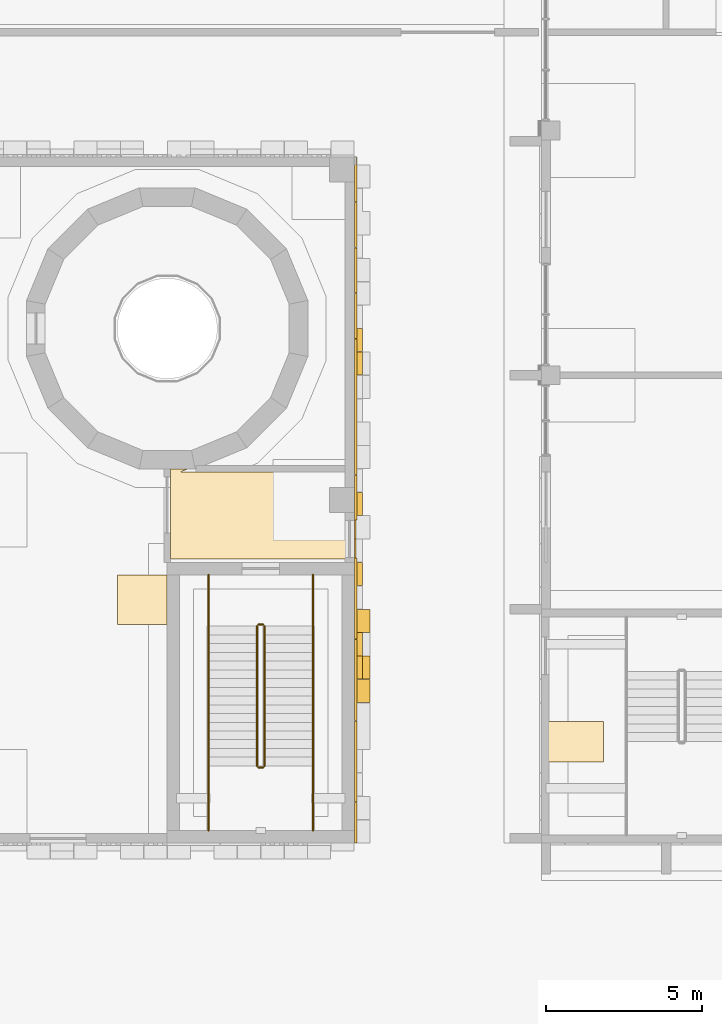
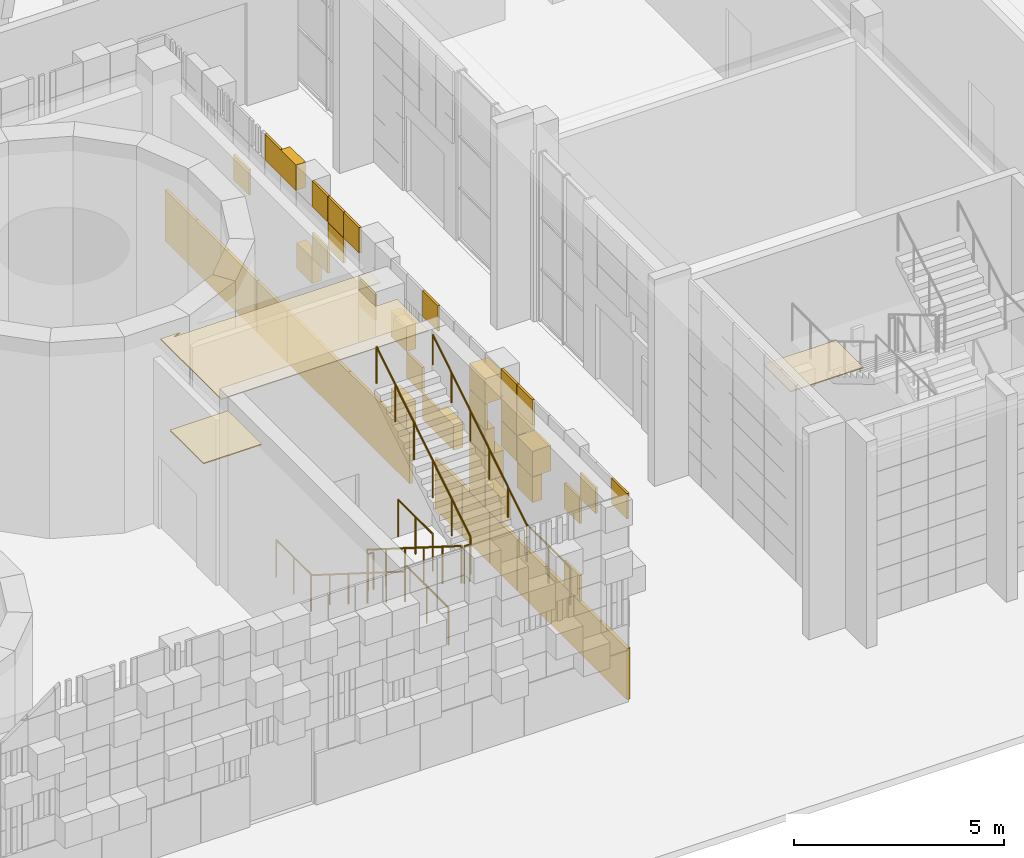
# One storey, part 98 of 125: 10 railings, 6 coverings.
"""IFC4 building model written with IfcOpenShell, lengths in metres."""

from ifc_helpers import new_model, si_unit, direction, frame, origin, origin_2d, place, context, subcontext, project, spatial, polyline, rectangle, circle, outline, extrude, material, layer, layer_set, type_object, element, save


model = new_model("IFC4")

# Units and contexts
model_context = context("Model", 3, precision=1e-05, world=origin(), true_north=direction((0.0, 1.0)))
body_context = subcontext(model_context, "Body", "Model", "MODEL_VIEW")
ifc_project = project(units=[si_unit("LENGTHUNIT", "METRE"), si_unit("AREAUNIT", "SQUARE_METRE"), si_unit("VOLUMEUNIT", "CUBIC_METRE"), si_unit("PLANEANGLEUNIT", "RADIAN"), si_unit("MASSUNIT", "GRAM", prefix="KILO")], contexts=[model_context])

# Site, building, storey
site_placement = place(None, origin())
site = spatial("IfcSite", under=ifc_project, at=site_placement, CompositionType="ELEMENT")
building_placement = place(site_placement, origin())
building = spatial("IfcBuilding", under=site, at=building_placement, Name="Sun Court Science Centre", CompositionType="ELEMENT")
storey_placement = place(building_placement, origin())
storey = spatial("IfcBuildingStorey", under=building, at=storey_placement, Name="L00", CompositionType="ELEMENT", Elevation=0.0)

# Coverings
ifc_material_1 = material(Name="Gypsum board")
ifc_layer_1 = layer(ifc_material_1, 0.030029296875)
ifc_layer_set_1 = layer_set([ifc_layer_1], Name="Gypsum board")
covering_type_1 = type_object("IfcCoveringType", Name="Ceiling suspended 600 module", PredefinedType="CEILING", material=ifc_layer_set_1)
covering_1_placement = place(storey_placement, frame((0.0, 0.0, 5.27001953125)))
element("IfcCovering", 1, at=covering_1_placement, inside=storey, type_object=covering_type_1, Name="L00-027 ceiling", PredefinedType="CEILING", context=body_context, shape_type="SweptSolid", body=[
    extrude(outline(polyline([(71.800048828125, 15.10009765625), (66.10009765625, 15.10009765625), (66.10009765625, 17.98828125), (66.635986328125, 17.98828125), (66.4345703125, 17.90478515625), (66.435546875, 17.89990234375), (71.800048828125, 17.89990234375), (71.800048828125, 17.39990234375), (71.199951171875, 17.39990234375), (71.199951171875, 16.60009765625), (71.800048828125, 16.60009765625), (71.800048828125, 15.10009765625)])), origin(), (0.0, 0.0, 1.0), 0.030029296875),
])
covering_2_placement = place(storey_placement, frame((0.0, 0.0, 5.27001953125)))
element("IfcCovering", 2, at=covering_2_placement, inside=storey, type_object=covering_type_1, Name="L00-030 ceiling", PredefinedType="CEILING", context=body_context, shape_type="SweptSolid", body=[
    extrude(outline(polyline([(66.0, 14.60009765625), (66.0, 13.0), (64.39990234375, 13.0), (64.39990234375, 14.60009765625), (66.0, 14.60009765625)])), origin(), (0.0, 0.0, 1.0), 0.030029296875),
])
covering_3_placement = place(storey_placement, frame((0.0, 0.0, 5.27001953125)))
element("IfcCovering", 3, at=covering_3_placement, inside=storey, type_object=covering_type_1, Name="L00-061 ceiling", PredefinedType="CEILING", context=body_context, shape_type="SweptSolid", body=[
    extrude(outline(polyline([(80.0, 9.89990234375), (80.0, 8.60009765625), (78.0, 8.60009765625), (78.0, 9.89990234375), (80.0, 9.89990234375)])), origin(), (0.0, 0.0, 1.0), 0.030029296875),
])

# Railings
ifc_material_2 = material(Name="Steel S275", Category="steel")
railing_type_1 = type_object("IfcRailingType", Name="Guard 1100 steel balustrade", PredefinedType="GUARDRAIL", material=ifc_material_2)
railing_1_placement = place(storey_placement, frame((68.875, 12.951904296875, 0.176513671875)))
element("IfcRailing", 4, at=railing_1_placement, inside=storey, type_object=railing_type_1, Name="L00 SB3 stair guard 1", PredefinedType="GUARDRAIL", context=body_context, shape_type="SweptSolid", body=[
    extrude(circle(Radius=0.02392578125, at=origin_2d()), frame((0.0, 0.0, 1.076171875), z_axis=(0.0, -0.845997938375, 0.533186166611), x_axis=(1.0, 0.0, 0.0)), (0.0, 0.0, 1.0), 5.29541015625),
    extrude(circle(Radius=0.02099609375, at=origin_2d()), origin(), (0.0, 0.0, 1.0), 1.052001953125),
    extrude(circle(Radius=0.02099609375, at=origin_2d()), frame((0.0, -0.89599609375, 0.564697265625)), (0.0, 0.0, 1.0), 1.052001953125),
    extrude(circle(Radius=0.02099609375, at=origin_2d()), frame((0.0, -1.7919921875, 1.12939453125)), (0.0, 0.0, 1.0), 1.052001953125),
    extrude(circle(Radius=0.02099609375, at=origin_2d()), frame((0.0, -2.68798828125, 1.694091796875)), (0.0, 0.0, 1.0), 1.052001953125),
    extrude(circle(Radius=0.02099609375, at=origin_2d()), frame((0.0, -3.583984375, 2.2587890625)), (0.0, 0.0, 1.0), 1.052001953125),
    extrude(circle(Radius=0.02099609375, at=origin_2d()), frame((0.0, -4.47998046875, 2.823486328125)), (0.0, 0.0, 1.0), 1.052001953125),
])
railing_2_placement = place(storey_placement, frame((68.925048828125, 8.422119140625, 3.0)))
element("IfcRailing", 5, at=railing_2_placement, inside=storey, type_object=railing_type_1, Name="L00 SB3 stair guard 2", PredefinedType="GUARDRAIL", context=body_context, shape_type="SweptSolid", body=[
    extrude(circle(Radius=0.02392578125, at=origin_2d()), frame((0.0, 0.0, 1.076171875), z_axis=(1.0, 0.0, 0.0), x_axis=(0.0, 1.0, 0.0)), (0.0, 0.0, 1.0), 0.14990234375),
    extrude(circle(Radius=0.02099609375, at=origin_2d()), origin(), (0.0, 0.0, 1.0), 1.052001953125),
    extrude(circle(Radius=0.02099609375, at=origin_2d()), frame((0.14990234375, 0.0, 0.0)), (0.0, 0.0, 1.0), 1.052001953125),
])
for number, where, name in (
    (6, (67.326904296875, 8.471923828125, 3.0), "L00 SB3 stair guard 3"),
    (7, (70.673095703125, 8.471923828125, 3.0), "L00 SB3 stair guard 4"),
):
    element("IfcRailing", number, at=place(storey_placement, frame(where)), inside=storey, type_object=railing_type_1, Name=name, PredefinedType="GUARDRAIL", context=body_context, shape_type="SweptSolid", body=[
        extrude(circle(Radius=0.02392578125, at=origin_2d()), frame((0.0, 0.0, 1.076171875), z_axis=(0.0, -1.0, 0.0), x_axis=(1.0, 0.0, 0.0)), (0.0, 0.0, 1.0), 2.072021484375),
        extrude(circle(Radius=0.02099609375, at=origin_2d()), origin(), (0.0, 0.0, 1.0), 1.052001953125),
        extrude(circle(Radius=0.02099609375, at=origin_2d()), frame((0.0, -1.0361328125, 0.0)), (0.0, 0.0, 1.0), 1.052001953125),
        extrude(circle(Radius=0.02099609375, at=origin_2d()), frame((0.0, -2.072021484375, 0.0)), (0.0, 0.0, 1.0), 1.052001953125),
    ])
railing_3_placement = place(storey_placement, frame((69.125, 8.471923828125, 3.176513671875)))
element("IfcRailing", 8, at=railing_3_placement, inside=storey, type_object=railing_type_1, Name="L00 SB3 stair guard 5", PredefinedType="GUARDRAIL", context=body_context, shape_type="SweptSolid", body=[
    extrude(circle(Radius=0.02392578125, at=origin_2d()), frame((0.0, 0.0, 1.076171875), z_axis=(0.0, 0.845997938375, 0.533186166611), x_axis=(-1.0, 0.0, 0.0)), (0.0, 0.0, 1.0), 5.29541015625),
    extrude(circle(Radius=0.02099609375, at=origin_2d()), origin(), (0.0, 0.0, 1.0), 1.052001953125),
    extrude(circle(Radius=0.02099609375, at=origin_2d()), frame((0.0, 0.89599609375, 0.564697265625)), (0.0, 0.0, 1.0), 1.052001953125),
    extrude(circle(Radius=0.02099609375, at=origin_2d()), frame((0.0, 1.7919921875, 1.12939453125)), (0.0, 0.0, 1.0), 1.052001953125),
    extrude(circle(Radius=0.02099609375, at=origin_2d()), frame((0.0, 2.68798828125, 1.694091796875)), (0.0, 0.0, 1.0), 1.052001953125),
    extrude(circle(Radius=0.02099609375, at=origin_2d()), frame((0.0, 3.583984375, 2.2587890625)), (0.0, 0.0, 1.0), 1.052001953125),
    extrude(circle(Radius=0.02099609375, at=origin_2d()), frame((0.0, 4.47998046875, 2.823486328125)), (0.0, 0.0, 1.0), 1.052001953125),
])
railing_4_placement = place(storey_placement, frame((68.925048828125, 13.001953125, 0.0)))
element("IfcRailing", 9, at=railing_4_placement, inside=storey, type_object=railing_type_1, Name="L00 SB3 stair guard 6", PredefinedType="GUARDRAIL", context=body_context, shape_type="SweptSolid", body=[
    extrude(circle(Radius=0.02392578125, at=origin_2d()), frame((0.0, 0.0, 1.076171875), z_axis=(1.0, 0.0, 0.0), x_axis=(0.0, 1.0, 0.0)), (0.0, 0.0, 1.0), 0.14990234375),
    extrude(circle(Radius=0.02099609375, at=origin_2d()), origin(), (0.0, 0.0, 1.0), 1.052001953125),
    extrude(circle(Radius=0.02099609375, at=origin_2d()), frame((0.14990234375, 0.0, 0.0)), (0.0, 0.0, 1.0), 1.052001953125),
])
for number, where, name in (
    (10, (67.326904296875, 14.60009765625, 0.0), "L00 SB3 stair guard 7"),
    (11, (70.673095703125, 14.60009765625, 0.0), "L00 SB3 stair guard 8"),
):
    element("IfcRailing", number, at=place(storey_placement, frame(where)), inside=storey, type_object=railing_type_1, Name=name, PredefinedType="GUARDRAIL", context=body_context, shape_type="SweptSolid", body=[
        extrude(circle(Radius=0.02392578125, at=origin_2d()), frame((0.0, 0.0, 1.076171875), z_axis=(0.0, -1.0, 0.0), x_axis=(1.0, 0.0, 0.0)), (0.0, 0.0, 1.0), 1.648193359375),
        extrude(circle(Radius=0.02099609375, at=origin_2d()), origin(), (0.0, 0.0, 1.0), 1.052001953125),
        extrude(circle(Radius=0.02099609375, at=origin_2d()), frame((0.0, -0.82421875, 0.0)), (0.0, 0.0, 1.0), 1.052001953125),
        extrude(circle(Radius=0.02099609375, at=origin_2d()), frame((0.0, -1.648193359375, 0.0)), (0.0, 0.0, 1.0), 1.052001953125),
    ])
ifc_material_3 = material(Name="Stainless steel", Category="steel")
railing_type_2 = type_object("IfcRailingType", Name="Handrail 900 stainless", PredefinedType="HANDRAIL", material=ifc_material_3)
railing_5_placement = place(storey_placement, frame((67.326904296875, 12.951904296875, 0.176513671875)))
element("IfcRailing", 12, at=railing_5_placement, inside=storey, type_object=railing_type_2, Name="L00 SB3 stair handrail 1", PredefinedType="HANDRAIL", context=body_context, shape_type="SweptSolid", body=[
    extrude(circle(Radius=0.02392578125, at=origin_2d()), frame((0.0, 0.0, 0.8759765625), z_axis=(0.0, -0.845997938375, 0.533186166611), x_axis=(1.0, 0.0, 0.0)), (0.0, 0.0, 1.0), 5.29541015625),
    extrude(circle(Radius=0.02099609375, at=origin_2d()), origin(), (0.0, 0.0, 1.0), 0.851806640625),
    extrude(circle(Radius=0.02099609375, at=origin_2d()), frame((0.0, -0.89599609375, 0.564697265625)), (0.0, 0.0, 1.0), 0.851806640625),
    extrude(circle(Radius=0.02099609375, at=origin_2d()), frame((0.0, -1.7919921875, 1.12939453125)), (0.0, 0.0, 1.0), 0.851806640625),
    extrude(circle(Radius=0.02099609375, at=origin_2d()), frame((0.0, -2.68798828125, 1.694091796875)), (0.0, 0.0, 1.0), 0.851806640625),
    extrude(circle(Radius=0.02099609375, at=origin_2d()), frame((0.0, -3.583984375, 2.2587890625)), (0.0, 0.0, 1.0), 0.851806640625),
    extrude(circle(Radius=0.02099609375, at=origin_2d()), frame((0.0, -4.47998046875, 2.823486328125)), (0.0, 0.0, 1.0), 0.851806640625),
])
railing_6_placement = place(storey_placement, frame((70.673095703125, 8.471923828125, 3.176513671875)))
element("IfcRailing", 13, at=railing_6_placement, inside=storey, type_object=railing_type_2, Name="L00 SB3 stair handrail 2", PredefinedType="HANDRAIL", context=body_context, shape_type="SweptSolid", body=[
    extrude(circle(Radius=0.02392578125, at=origin_2d()), frame((0.0, 0.0, 0.8759765625), z_axis=(0.0, 0.845997938375, 0.533186166611), x_axis=(-1.0, 0.0, 0.0)), (0.0, 0.0, 1.0), 5.29541015625),
    extrude(circle(Radius=0.02099609375, at=origin_2d()), origin(), (0.0, 0.0, 1.0), 0.851806640625),
    extrude(circle(Radius=0.02099609375, at=origin_2d()), frame((0.0, 0.89599609375, 0.564697265625)), (0.0, 0.0, 1.0), 0.851806640625),
    extrude(circle(Radius=0.02099609375, at=origin_2d()), frame((0.0, 1.7919921875, 1.12939453125)), (0.0, 0.0, 1.0), 0.851806640625),
    extrude(circle(Radius=0.02099609375, at=origin_2d()), frame((0.0, 2.68798828125, 1.694091796875)), (0.0, 0.0, 1.0), 0.851806640625),
    extrude(circle(Radius=0.02099609375, at=origin_2d()), frame((0.0, 3.583984375, 2.2587890625)), (0.0, 0.0, 1.0), 0.851806640625),
    extrude(circle(Radius=0.02099609375, at=origin_2d()), frame((0.0, 4.47998046875, 2.823486328125)), (0.0, 0.0, 1.0), 0.851806640625),
])

# Coverings
ifc_material_4 = material(Name="Red sandstone", Category="masonry")
ifc_layer_2 = layer(ifc_material_4, 0.080078125)
ifc_layer_set_2 = layer_set([ifc_layer_2], Name="Red sandstone")
covering_type_2 = type_object("IfcCoveringType", Name="Red sandstone plinth block 1500", PredefinedType="CLADDING", material=ifc_layer_set_2)
covering_4_placement = place(storey_placement, origin())
element("IfcCovering", 14, at=covering_4_placement, inside=storey, type_object=covering_type_2, Name="Red sandstone plinth east face", PredefinedType="CLADDING", context=body_context, shape_type="SweptSolid", body=[
    extrude(rectangle(XDim=1.4462890625, YDim=0.080078125, at=origin_2d()), frame((72.0400390625, 27.27197265625, 0.0048828125), z_axis=(0.0, 0.0, 1.0), x_axis=(0.0, -1.0, 0.0)), (0.0, 0.0, 1.0), 1.489990234375),
    extrude(rectangle(XDim=1.4462890625, YDim=0.080078125, at=origin_2d()), frame((72.0400390625, 25.815673828125, 0.0048828125), z_axis=(0.0, 0.0, 1.0), x_axis=(0.0, -1.0, 0.0)), (0.0, 0.0, 1.0), 1.489990234375),
    extrude(rectangle(XDim=1.4462890625, YDim=0.080078125, at=origin_2d()), frame((72.0400390625, 24.359375, 0.0048828125), z_axis=(0.0, 0.0, 1.0), x_axis=(0.0, -1.0, 0.0)), (0.0, 0.0, 1.0), 1.489990234375),
    extrude(rectangle(XDim=1.4462890625, YDim=0.080078125, at=origin_2d()), frame((72.0400390625, 22.903076171875, 0.0048828125), z_axis=(0.0, 0.0, 1.0), x_axis=(0.0, -1.0, 0.0)), (0.0, 0.0, 1.0), 1.489990234375),
    extrude(rectangle(XDim=1.4462890625, YDim=0.080078125, at=origin_2d()), frame((72.0400390625, 21.44677734375, 0.0048828125), z_axis=(0.0, 0.0, 1.0), x_axis=(0.0, -1.0, 0.0)), (0.0, 0.0, 1.0), 1.489990234375),
    extrude(rectangle(XDim=1.4462890625, YDim=0.080078125, at=origin_2d()), frame((72.0400390625, 19.99072265625, 0.0048828125), z_axis=(0.0, 0.0, 1.0), x_axis=(0.0, -1.0, 0.0)), (0.0, 0.0, 1.0), 1.489990234375),
    extrude(rectangle(XDim=1.4462890625, YDim=0.080078125, at=origin_2d()), frame((72.0400390625, 18.534423828125, 0.0048828125), z_axis=(0.0, 0.0, 1.0), x_axis=(0.0, -1.0, 0.0)), (0.0, 0.0, 1.0), 1.489990234375),
    extrude(rectangle(XDim=1.4462890625, YDim=0.080078125, at=origin_2d()), frame((72.0400390625, 17.078125, 0.0048828125), z_axis=(0.0, 0.0, 1.0), x_axis=(0.0, -1.0, 0.0)), (0.0, 0.0, 1.0), 1.489990234375),
    extrude(rectangle(XDim=1.297119140625, YDim=0.080078125, at=origin_2d()), frame((72.0400390625, 14.496337890625, 0.0048828125), z_axis=(0.0, 0.0, 1.0), x_axis=(0.0, -1.0, 0.0)), (0.0, 0.0, 1.0), 1.489990234375),
    extrude(rectangle(XDim=1.297119140625, YDim=0.080078125, at=origin_2d()), frame((72.0400390625, 13.189208984375, 0.0048828125), z_axis=(0.0, 0.0, 1.0), x_axis=(0.0, -1.0, 0.0)), (0.0, 0.0, 1.0), 1.489990234375),
    extrude(rectangle(XDim=1.297119140625, YDim=0.080078125, at=origin_2d()), frame((72.0400390625, 11.882080078125, 0.0048828125), z_axis=(0.0, 0.0, 1.0), x_axis=(0.0, -1.0, 0.0)), (0.0, 0.0, 1.0), 1.489990234375),
    extrude(rectangle(XDim=1.297119140625, YDim=0.080078125, at=origin_2d()), frame((72.0400390625, 10.574951171875, 0.0048828125), z_axis=(0.0, 0.0, 1.0), x_axis=(0.0, -1.0, 0.0)), (0.0, 0.0, 1.0), 1.489990234375),
    extrude(rectangle(XDim=1.297119140625, YDim=0.080078125, at=origin_2d()), frame((72.0400390625, 9.267822265625, 0.0048828125), z_axis=(0.0, 0.0, 1.0), x_axis=(0.0, -1.0, 0.0)), (0.0, 0.0, 1.0), 1.489990234375),
    extrude(rectangle(XDim=1.297119140625, YDim=0.080078125, at=origin_2d()), frame((72.0400390625, 7.960693359375, 0.0048828125), z_axis=(0.0, 0.0, 1.0), x_axis=(0.0, -1.0, 0.0)), (0.0, 0.0, 1.0), 1.489990234375),
    extrude(rectangle(XDim=1.297119140625, YDim=0.080078125, at=origin_2d()), frame((72.0400390625, 6.653564453125, 0.0048828125), z_axis=(0.0, 0.0, 1.0), x_axis=(0.0, -1.0, 0.0)), (0.0, 0.0, 1.0), 1.489990234375),
])
ifc_material_5 = material(Name="Terracotta shade 4", Category="masonry")
ifc_layer_3 = layer(ifc_material_5, 0.06005859375)
ifc_layer_set_3 = layer_set([ifc_layer_3], Name="Terracotta shade 4")
covering_type_3 = type_object("IfcCoveringType", Name="Terracotta pixel panel shade 4", PredefinedType="CLADDING", material=ifc_layer_set_3)
covering_5_placement = place(storey_placement, origin())
element("IfcCovering", 15, at=covering_5_placement, inside=storey, type_object=covering_type_3, Name="Terracotta pixel cladding shade 4 east face L00", PredefinedType="CLADDING", context=body_context, shape_type="SweptSolid", body=[
    extrude(rectangle(XDim=0.739990234375, YDim=0.260009765625, at=origin_2d()), frame((72.1298828125, 16.875, 1.5048828125), z_axis=(0.0, 0.0, 1.0), x_axis=(0.0, -1.0, 0.0)), (0.0, 0.0, 1.0), 0.739990234375),
    extrude(rectangle(XDim=0.739990234375, YDim=0.510009765625, at=origin_2d()), frame((72.2548828125, 13.125, 1.5048828125), z_axis=(0.0, 0.0, 1.0), x_axis=(0.0, -1.0, 0.0)), (0.0, 0.0, 1.0), 0.739990234375),
    extrude(rectangle(XDim=0.739990234375, YDim=0.260009765625, at=origin_2d()), frame((72.1298828125, 12.375, 1.5048828125), z_axis=(0.0, 0.0, 1.0), x_axis=(0.0, -1.0, 0.0)), (0.0, 0.0, 1.0), 0.739990234375),
    extrude(rectangle(XDim=0.739990234375, YDim=0.06005859375, at=origin_2d()), frame((72.030029296875, 8.625, 1.5048828125), z_axis=(0.0, 0.0, 1.0), x_axis=(0.0, -1.0, 0.0)), (0.0, 0.0, 1.0), 0.739990234375),
    extrude(rectangle(XDim=0.739990234375, YDim=0.510009765625, at=origin_2d()), frame((72.2548828125, 13.125, 2.2548828125), z_axis=(0.0, 0.0, 1.0), x_axis=(0.0, -1.0, 0.0)), (0.0, 0.0, 1.0), 0.739990234375),
    extrude(rectangle(XDim=0.739990234375, YDim=0.260009765625, at=origin_2d()), frame((72.1298828125, 10.875, 3.0048828125), z_axis=(0.0, 0.0, 1.0), x_axis=(0.0, -1.0, 0.0)), (0.0, 0.0, 1.0), 0.739990234375),
    extrude(rectangle(XDim=0.739990234375, YDim=0.06005859375, at=origin_2d()), frame((72.030029296875, 18.375, 3.7548828125), z_axis=(0.0, 0.0, 1.0), x_axis=(0.0, -1.0, 0.0)), (0.0, 0.0, 1.0), 0.739990234375),
    extrude(rectangle(XDim=0.739990234375, YDim=0.260009765625, at=origin_2d()), frame((72.1298828125, 16.875, 3.7548828125), z_axis=(0.0, 0.0, 1.0), x_axis=(0.0, -1.0, 0.0)), (0.0, 0.0, 1.0), 0.739990234375),
    extrude(rectangle(XDim=0.739990234375, YDim=0.06005859375, at=origin_2d()), frame((72.030029296875, 13.125, 3.7548828125), z_axis=(0.0, 0.0, 1.0), x_axis=(0.0, -1.0, 0.0)), (0.0, 0.0, 1.0), 0.739990234375),
    extrude(rectangle(XDim=0.739990234375, YDim=0.06005859375, at=origin_2d()), frame((72.030029296875, 8.625, 3.7548828125), z_axis=(0.0, 0.0, 1.0), x_axis=(0.0, -1.0, 0.0)), (0.0, 0.0, 1.0), 0.739990234375),
    extrude(rectangle(XDim=0.739990234375, YDim=0.06005859375, at=origin_2d()), frame((72.030029296875, 19.875, 4.5048828125), z_axis=(0.0, 0.0, 1.0), x_axis=(0.0, -1.0, 0.0)), (0.0, 0.0, 1.0), 0.739990234375),
    extrude(rectangle(XDim=0.739990234375, YDim=0.510009765625, at=origin_2d()), frame((72.2548828125, 11.625, 4.5048828125), z_axis=(0.0, 0.0, 1.0), x_axis=(0.0, -1.0, 0.0)), (0.0, 0.0, 1.0), 0.739990234375),
    extrude(rectangle(XDim=0.739990234375, YDim=0.06005859375, at=origin_2d()), frame((72.030029296875, 22.875, 5.2548828125), z_axis=(0.0, 0.0, 1.0), x_axis=(0.0, -1.0, 0.0)), (0.0, 0.0, 1.0), 0.739990234375),
    extrude(rectangle(XDim=0.739990234375, YDim=0.260009765625, at=origin_2d()), frame((72.1298828125, 22.125, 5.2548828125), z_axis=(0.0, 0.0, 1.0), x_axis=(0.0, -1.0, 0.0)), (0.0, 0.0, 1.0), 0.739990234375),
    extrude(rectangle(XDim=0.739990234375, YDim=0.06005859375, at=origin_2d()), frame((72.030029296875, 20.625, 5.2548828125), z_axis=(0.0, 0.0, 1.0), x_axis=(0.0, -1.0, 0.0)), (0.0, 0.0, 1.0), 0.739990234375),
    extrude(rectangle(XDim=0.739990234375, YDim=0.06005859375, at=origin_2d()), frame((72.030029296875, 19.875, 5.2548828125), z_axis=(0.0, 0.0, 1.0), x_axis=(0.0, -1.0, 0.0)), (0.0, 0.0, 1.0), 0.739990234375),
    extrude(rectangle(XDim=0.739990234375, YDim=0.06005859375, at=origin_2d()), frame((72.030029296875, 11.625, 5.2548828125), z_axis=(0.0, 0.0, 1.0), x_axis=(0.0, -1.0, 0.0)), (0.0, 0.0, 1.0), 0.739990234375),
])
ifc_material_6 = material(Name="Terracotta shade 5", Category="masonry")
ifc_layer_4 = layer(ifc_material_6, 0.06005859375)
ifc_layer_set_4 = layer_set([ifc_layer_4], Name="Terracotta shade 5")
covering_type_4 = type_object("IfcCoveringType", Name="Terracotta pixel panel shade 5", PredefinedType="CLADDING", material=ifc_layer_set_4)
covering_6_placement = place(storey_placement, origin())
element("IfcCovering", 16, at=covering_6_placement, inside=storey, type_object=covering_type_4, Name="Terracotta pixel cladding shade 5 east face L00", PredefinedType="CLADDING", context=body_context, shape_type="SweptSolid", body=[
    extrude(rectangle(XDim=0.739990234375, YDim=0.06005859375, at=origin_2d()), frame((72.030029296875, 15.375, 2.2548828125), z_axis=(0.0, 0.0, 1.0), x_axis=(0.0, -1.0, 0.0)), (0.0, 0.0, 1.0), 0.739990234375),
    extrude(rectangle(XDim=0.739990234375, YDim=0.260009765625, at=origin_2d()), frame((72.1298828125, 14.625, 2.2548828125), z_axis=(0.0, 0.0, 1.0), x_axis=(0.0, -1.0, 0.0)), (0.0, 0.0, 1.0), 0.739990234375),
    extrude(rectangle(XDim=0.739990234375, YDim=0.260009765625, at=origin_2d()), frame((72.1298828125, 21.375, 3.0048828125), z_axis=(0.0, 0.0, 1.0), x_axis=(0.0, -1.0, 0.0)), (0.0, 0.0, 1.0), 0.739990234375),
    extrude(rectangle(XDim=0.739990234375, YDim=0.06005859375, at=origin_2d()), frame((72.030029296875, 16.125, 3.0048828125), z_axis=(0.0, 0.0, 1.0), x_axis=(0.0, -1.0, 0.0)), (0.0, 0.0, 1.0), 0.739990234375),
    extrude(rectangle(XDim=0.739990234375, YDim=0.260009765625, at=origin_2d()), frame((72.1298828125, 13.125, 3.0048828125), z_axis=(0.0, 0.0, 1.0), x_axis=(0.0, -1.0, 0.0)), (0.0, 0.0, 1.0), 0.739990234375),
    extrude(rectangle(XDim=0.739990234375, YDim=0.06005859375, at=origin_2d()), frame((72.030029296875, 24.375, 3.7548828125), z_axis=(0.0, 0.0, 1.0), x_axis=(0.0, -1.0, 0.0)), (0.0, 0.0, 1.0), 0.739990234375),
    extrude(rectangle(XDim=0.739990234375, YDim=0.06005859375, at=origin_2d()), frame((72.030029296875, 20.625, 3.7548828125), z_axis=(0.0, 0.0, 1.0), x_axis=(0.0, -1.0, 0.0)), (0.0, 0.0, 1.0), 0.739990234375),
    extrude(rectangle(XDim=0.739990234375, YDim=0.260009765625, at=origin_2d()), frame((72.1298828125, 11.625, 3.7548828125), z_axis=(0.0, 0.0, 1.0), x_axis=(0.0, -1.0, 0.0)), (0.0, 0.0, 1.0), 0.739990234375),
    extrude(rectangle(XDim=0.739990234375, YDim=0.510009765625, at=origin_2d()), frame((72.2548828125, 10.875, 3.7548828125), z_axis=(0.0, 0.0, 1.0), x_axis=(0.0, -1.0, 0.0)), (0.0, 0.0, 1.0), 0.739990234375),
    extrude(rectangle(XDim=0.739990234375, YDim=0.510009765625, at=origin_2d()), frame((72.2548828125, 13.125, 4.5048828125), z_axis=(0.0, 0.0, 1.0), x_axis=(0.0, -1.0, 0.0)), (0.0, 0.0, 1.0), 0.739990234375),
    extrude(rectangle(XDim=0.739990234375, YDim=0.06005859375, at=origin_2d()), frame((72.030029296875, 7.875, 4.5048828125), z_axis=(0.0, 0.0, 1.0), x_axis=(0.0, -1.0, 0.0)), (0.0, 0.0, 1.0), 0.739990234375),
    extrude(rectangle(XDim=0.739990234375, YDim=0.06005859375, at=origin_2d()), frame((72.030029296875, 19.125, 5.2548828125), z_axis=(0.0, 0.0, 1.0), x_axis=(0.0, -1.0, 0.0)), (0.0, 0.0, 1.0), 0.739990234375),
    extrude(rectangle(XDim=0.739990234375, YDim=0.06005859375, at=origin_2d()), frame((72.030029296875, 15.375, 5.2548828125), z_axis=(0.0, 0.0, 1.0), x_axis=(0.0, -1.0, 0.0)), (0.0, 0.0, 1.0), 0.739990234375),
    extrude(rectangle(XDim=0.739990234375, YDim=0.06005859375, at=origin_2d()), frame((72.030029296875, 10.875, 5.2548828125), z_axis=(0.0, 0.0, 1.0), x_axis=(0.0, -1.0, 0.0)), (0.0, 0.0, 1.0), 0.739990234375),
    extrude(rectangle(XDim=0.739990234375, YDim=0.06005859375, at=origin_2d()), frame((72.030029296875, 6.375, 5.2548828125), z_axis=(0.0, 0.0, 1.0), x_axis=(0.0, -1.0, 0.0)), (0.0, 0.0, 1.0), 0.739990234375),
])

save(model, "model.ifc")
